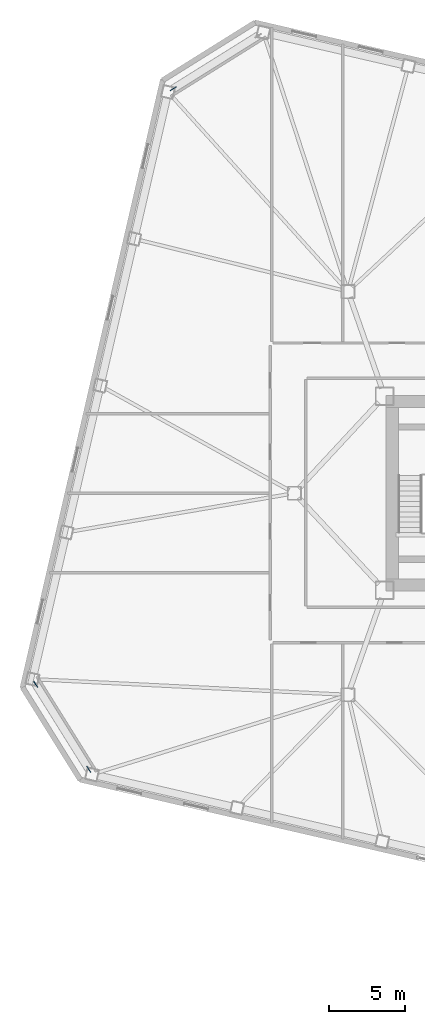
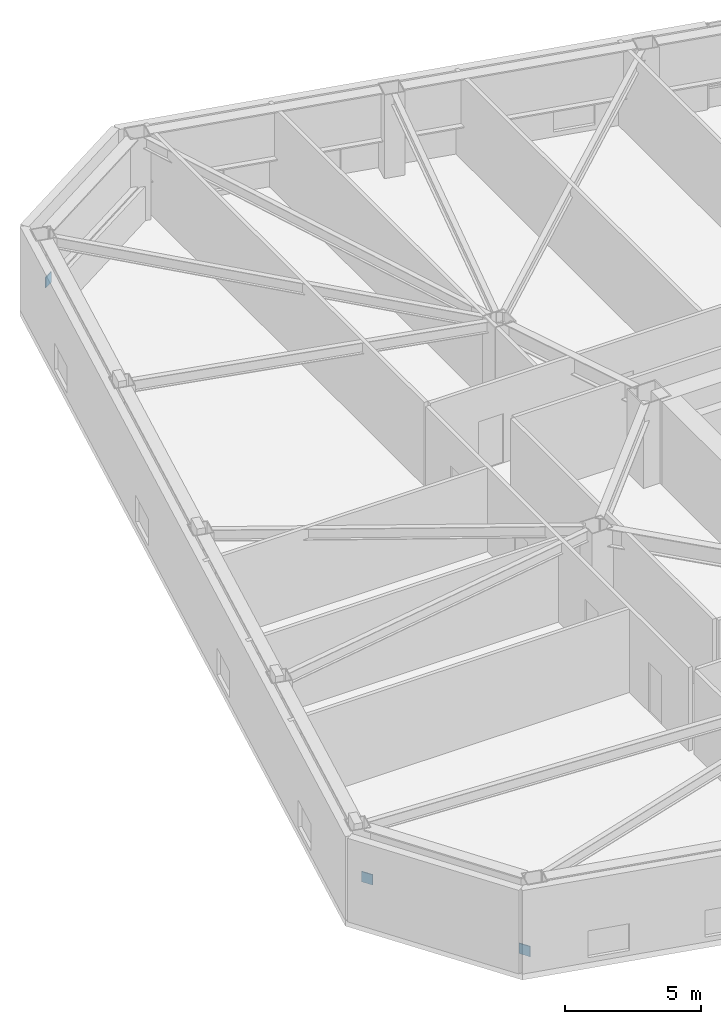
# One storey, part 15 of 21: 3 discrete accessories.
"""IFC4 building model written with IfcOpenShell, lengths in metres."""

from ifc_helpers import new_model, si_unit, direction, frame, origin, origin_2d, place, context, subcontext, project, spatial, rectangle, extrude, material, type_object, element, save


model = new_model("IFC4")

# Units and contexts
model_context = context("Model", 3, precision=1e-05, world=origin(), true_north=direction((0.0, 1.0)))
body_context = subcontext(model_context, "Body", "Model", "MODEL_VIEW")
ifc_project = project(units=[si_unit("LENGTHUNIT", "METRE"), si_unit("AREAUNIT", "SQUARE_METRE"), si_unit("VOLUMEUNIT", "CUBIC_METRE"), si_unit("PLANEANGLEUNIT", "RADIAN"), si_unit("MASSUNIT", "GRAM", prefix="KILO")], contexts=[model_context])

# Site, building, storey
site_placement = place(None, origin())
site = spatial("IfcSite", under=ifc_project, at=site_placement, CompositionType="ELEMENT")
building_placement = place(site_placement, origin())
building = spatial("IfcBuilding", under=site, at=building_placement, Name="Tavrogorsk Clinical Tower", CompositionType="ELEMENT")
storey_placement = place(building_placement, frame((0.0, 0.0, 59.39990234375)))
storey = spatial("IfcBuildingStorey", under=building, at=storey_placement, Name="L12", CompositionType="ELEMENT", Elevation=59.39990234375)

# Discrete accessories
ifc_material = material(Name="Structural steel S440", Category="steel")
discrete_accessory_type = type_object("IfcDiscreteAccessoryType", Name="GussetPlateBracket_25", PredefinedType="BRACKET", material=ifc_material)
for number, where, z_axis, x_axis, name in (
    (1, (-35.9345703125, 26.47314453125, 1.195068359375), (0.0, 0.0, 1.0), (-0.848048096156, -0.529919264233, 0.0), "L12 Brace Gusset Plate EXOCRN-L12-3-B"),
    (2, (-41.46484375, -18.064453125, 0.13525390625), (0.0, 0.0, 1.0), (-0.529919264233, 0.848048096156, 0.0), "L12 Brace Gusset Plate EXOCRN-L12-4-A"),
    (3, (-44.934814453125, -12.510986328125, 1.195068359375), (0.0, 0.0, 1.0), (-0.529919264233, 0.848048096156, 0.0), "L12 Brace Gusset Plate EXOCRN-L12-4-B"),
):
    element("IfcDiscreteAccessory", number, at=place(storey_placement, frame(where, z_axis=z_axis, x_axis=x_axis)), inside=storey, type_object=discrete_accessory_type, Name=name, PredefinedType="BRACKET", context=body_context, shape_type="SweptSolid", body=[
        extrude(rectangle(XDim=0.4599609375, YDim=0.0400390625, at=origin_2d()), origin(), (0.0, 0.0, 1.0), 0.4599609375),
    ])

save(model, "model.ifc")
